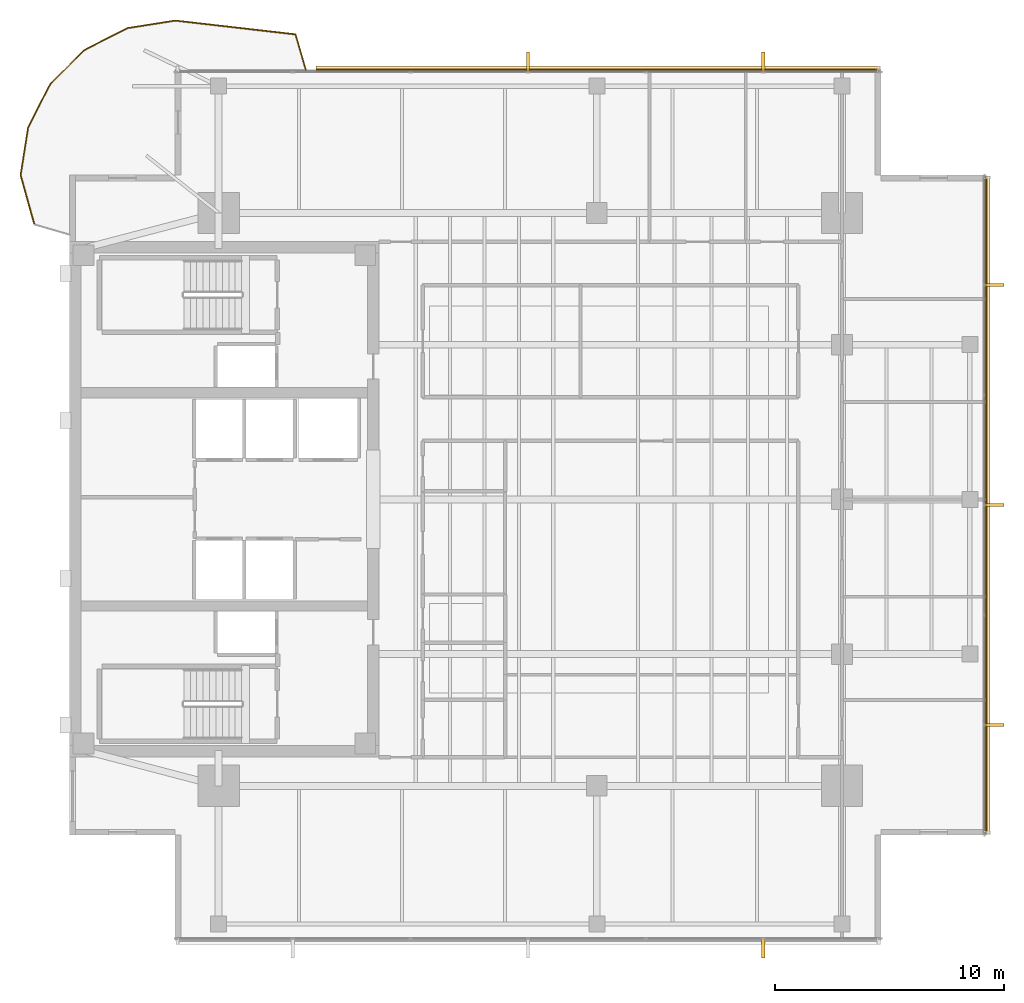
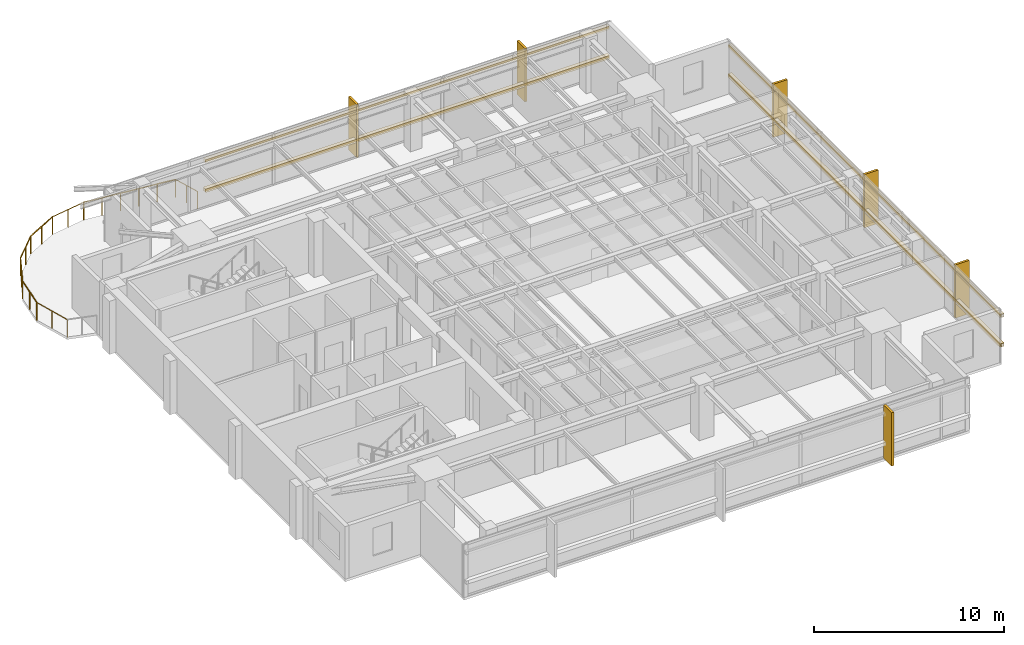
# One storey, part 14 of 14: 10 coverings, 8 railings, 4 shading devices.
"""IFC4 building model written with IfcOpenShell, lengths in metres."""

import ifcopenshell
import ifcopenshell.guid

model = None  # the IFC model being written
_history = None  # IfcOwnerHistory: only IFC2X3 demands one
_inside = {}  # id of a spatial element -> (the spatial element, [elements in it])
_under = {}  # id of a project, library or spatial element -> (it, [spatial elements below it])
_declared = {}  # id of a project -> (the project, [libraries it declares])
_typed = {}  # id of a type object -> (the type object, [elements of that type])
_made_of = {}  # id of a material, layer set ... -> (it, [elements and type objects made of it])


def new_model(schema):
    """Start an empty IFC model of exactly this schema.

    Asked for "IFC4X3", IfcOpenShell would pick the latest addendum, in which some entities
    have other attributes; the version numbers below select the first issue.
    IFC2X3 requires an IfcOwnerHistory on every rooted entity: one is made here for all.
    """
    global model, _history
    if schema == "IFC4X3":
        model = ifcopenshell.file(schema_version=(4, 3, 0, 0))
    else:
        model = ifcopenshell.file(schema=schema)
    _inside.clear()
    _under.clear()
    _declared.clear()
    _typed.clear()
    _made_of.clear()
    _history = None
    if model.schema == "IFC2X3":
        org = make("IfcOrganization", Name="unknown")
        user = make(
            "IfcPersonAndOrganization",
            ThePerson=make("IfcPerson", FamilyName="unknown"),
            TheOrganization=org,
        )
        app = make(
            "IfcApplication",
            ApplicationDeveloper=org,
            Version="unknown",
            ApplicationFullName="unknown",
            ApplicationIdentifier="unknown",
        )
        _history = make(
            "IfcOwnerHistory",
            OwningUser=user,
            OwningApplication=app,
            ChangeAction="ADDED",
            CreationDate=0,
        )
    return model


def make(cls, **values):
    """One entity of the class cls with the attributes given. An attribute that is None is left unset."""
    return model.create_entity(
        cls, **{name: value for name, value in values.items() if value is not None}
    )


def rooted(cls, **values):
    """An entity with a GlobalId (a new one), such as an element, a storey or a relation."""
    return make(cls, GlobalId=ifcopenshell.guid.new(), OwnerHistory=_history, **values)


def si_unit(unit_type, name, prefix=None):
    """IfcSIUnit, for example si_unit("LENGTHUNIT", "METRE", prefix="MILLI")."""
    return make("IfcSIUnit", UnitType=unit_type, Prefix=prefix, Name=name)


def assignment(units):
    """IfcUnitAssignment: the units of a project."""
    return None if units is None else make("IfcUnitAssignment", Units=units)


def point(xyz):
    """IfcCartesianPoint."""
    return None if xyz is None else make("IfcCartesianPoint", Coordinates=xyz)


def direction(xyz):
    """IfcDirection."""
    return None if xyz is None else make("IfcDirection", DirectionRatios=xyz)


def frame(location, z_axis=None, x_axis=None):
    """IfcAxis2Placement3D, a coordinate frame: its origin and axes. An axis left out is left unset."""
    return make(
        "IfcAxis2Placement3D",
        Location=point(location),
        Axis=direction(z_axis),
        RefDirection=direction(x_axis),
    )


def frame_2d(location, x_axis=None):
    """IfcAxis2Placement2D, a coordinate frame in the plane: its origin and x axis."""
    return make(
        "IfcAxis2Placement2D", Location=point(location), RefDirection=direction(x_axis)
    )


def origin():
    """The frame at (0, 0, 0) with its axes left unset."""
    return frame((0.0, 0.0, 0.0))


def origin_2d():
    """The frame at (0, 0) in the plane with its x axis left unset."""
    return frame_2d((0.0, 0.0))


def place(relative_to, where):
    """IfcLocalPlacement: puts the frame where relative to a parent placement (None: the world)."""
    return make(
        "IfcLocalPlacement", PlacementRelTo=relative_to, RelativePlacement=where
    )


def context(
    kind, dimensions, precision=None, world=None, true_north=None, identifier=None
):
    """IfcGeometricRepresentationContext, for example the 3D "Model" context."""
    return make(
        "IfcGeometricRepresentationContext",
        ContextIdentifier=identifier,
        ContextType=kind,
        CoordinateSpaceDimension=dimensions,
        Precision=precision,
        WorldCoordinateSystem=world,
        TrueNorth=true_north,
    )


def subcontext(parent, identifier, kind, view, scale=None):
    """IfcGeometricRepresentationSubContext, for example "Body" below "Model"."""
    return make(
        "IfcGeometricRepresentationSubContext",
        ContextIdentifier=identifier,
        ContextType=kind,
        ParentContext=parent,
        TargetScale=scale,
        TargetView=view,
    )


def project(units=None, contexts=None):
    """IfcProject with its units and contexts."""
    return rooted(
        "IfcProject",
        Name="project",
        RepresentationContexts=contexts,
        UnitsInContext=assignment(units),
    )


def spatial(cls, under=None, at=None, **own):
    """A site, building, storey or space (cls), placed at a placement, below another one or the project."""
    s = rooted(cls, ObjectPlacement=at, **own)
    if under is not None:
        _under.setdefault(under.id(), (under, []))[1].append(s)
    return s


def polyline(points):
    """IfcPolyline through the points."""
    return make("IfcPolyline", Points=[point(p) for p in points])


def profile(cls, at=None, kind="AREA", **sizes):
    """A parametric profile (cls). Its sizes go by their IFC names, for example OverallWidth=200.0."""
    return make(cls, ProfileType=kind, Position=at, **sizes)


def rectangle(**sizes):
    """IfcRectangleProfileDef."""
    return profile("IfcRectangleProfileDef", **sizes)


def circle(**sizes):
    """IfcCircleProfileDef."""
    return profile("IfcCircleProfileDef", **sizes)


def outline(outer, holes=None, kind="AREA"):
    """IfcArbitraryClosedProfileDef: a profile drawn as a closed curve; with holes, ...WithVoids."""
    if holes is None:
        return make("IfcArbitraryClosedProfileDef", ProfileType=kind, OuterCurve=outer)
    return make(
        "IfcArbitraryProfileDefWithVoids",
        ProfileType=kind,
        OuterCurve=outer,
        InnerCurves=holes,
    )


def extrude(swept, where, along, depth):
    """IfcExtrudedAreaSolid: the profile swept, set in the frame where, extruded along a direction by depth."""
    return make(
        "IfcExtrudedAreaSolid",
        SweptArea=swept,
        Position=where,
        ExtrudedDirection=direction(along),
        Depth=depth,
    )


def shape(context_of_items, identifier, shape_type, items):
    """IfcShapeRepresentation: the items that make up one representation, for example the "Body"."""
    return make(
        "IfcShapeRepresentation",
        ContextOfItems=context_of_items,
        RepresentationIdentifier=identifier,
        RepresentationType=shape_type,
        Items=items,
    )


def material(Name=None, Category=None):
    """IfcMaterial."""
    return make("IfcMaterial", Name=Name, Category=Category)


def layer(
    of_material, thickness, ventilated=None, Name=None, Category=None, Priority=None
):
    """IfcMaterialLayer: one layer of a wall or slab, of a material (None: an air gap)."""
    return make(
        "IfcMaterialLayer",
        Material=of_material,
        LayerThickness=thickness,
        IsVentilated=ventilated,
        Name=Name,
        Category=Category,
        Priority=Priority,
    )


def layer_set(layers, Name=None):
    """IfcMaterialLayerSet."""
    return make("IfcMaterialLayerSet", MaterialLayers=layers, LayerSetName=Name)


def material_profile(
    of_material, cross_section, Name=None, Category=None, Priority=None
):
    """IfcMaterialProfile: a cross section and its material."""
    return make(
        "IfcMaterialProfile",
        Name=Name,
        Material=of_material,
        Profile=cross_section,
        Priority=Priority,
        Category=Category,
    )


def profile_set(profiles, Name=None, composite=None):
    """IfcMaterialProfileSet."""
    return make(
        "IfcMaterialProfileSet",
        Name=Name,
        MaterialProfiles=profiles,
        CompositeProfile=composite,
    )


def made_of(thing, what):
    """Note that an element or type object is made of a material, layer set ...; save() writes the relation."""
    if what is not None:
        _made_of.setdefault(what.id(), (what, []))[1].append(thing)
    return thing


def type_object(cls, material=None, **own):
    """A type object (cls), such as IfcWallType, which elements share."""
    return made_of(rooted(cls, **own), material)


def element(
    cls,
    number,
    at=None,
    inside=None,
    cuts=None,
    type_object=None,
    material=None,
    context=None,
    identifier="Body",
    shape_type=None,
    held_by="IfcProductDefinitionShape",
    body=None,
    shapes=None,
    **own,
):
    """One element of the class cls, such as IfcWall. Its Tag is "e" and its number.

    at: its placement. inside: the storey or other place that contains it. cuts: it is an
    opening in that element (IfcRelVoidsElement). A single representation is given by context,
    identifier, shape_type and body (its items); several are given by shapes. held_by: the class
    of the entity that holds the representations. save() writes the other relations.
    """
    e = rooted(cls, Tag="e%d" % number, ObjectPlacement=at, **own)
    if body is not None:
        shapes = [shape(context, identifier, shape_type, body)]
    if shapes is not None:
        e.Representation = make(held_by, Representations=shapes)
    if inside is not None:
        _inside.setdefault(inside.id(), (inside, []))[1].append(e)
    if cuts is not None:
        rooted(
            "IfcRelVoidsElement", RelatingBuildingElement=cuts, RelatedOpeningElement=e
        )
    if type_object is not None:
        _typed.setdefault(type_object.id(), (type_object, []))[1].append(e)
    return made_of(e, material)


def aggregate(whole, parts):
    """IfcRelAggregates: a whole, such as a stair, and the parts it consists of."""
    return rooted("IfcRelAggregates", RelatingObject=whole, RelatedObjects=parts)


def save(model, path):
    """Write the relations noted so far, then the file.

    IfcRelAggregates (storeys below a building ...), IfcRelContainedInSpatialStructure (elements
    in a storey), IfcRelDefinesByType, IfcRelAssociatesMaterial and IfcRelDeclares: one each for
    every whole, place, type object, material and project.
    """
    for whole, parts in _under.values():
        aggregate(whole, parts)
    for where, things in _inside.values():
        rooted(
            "IfcRelContainedInSpatialStructure",
            RelatedElements=things,
            RelatingStructure=where,
        )
    for kind, things in _typed.values():
        rooted("IfcRelDefinesByType", RelatedObjects=things, RelatingType=kind)
    for what, things in _made_of.values():
        rooted("IfcRelAssociatesMaterial", RelatedObjects=things, RelatingMaterial=what)
    for by, libraries in _declared.values():
        rooted("IfcRelDeclares", RelatingContext=by, RelatedDefinitions=libraries)
    model.write(path)


model = new_model("IFC4")

# Units and contexts
model_context = context("Model", 3, precision=1e-05, world=origin(), true_north=direction((0.0, 1.0)))
body_context = subcontext(model_context, "Body", "Model", "MODEL_VIEW")
ifc_project = project(units=[si_unit("LENGTHUNIT", "METRE"), si_unit("AREAUNIT", "SQUARE_METRE"), si_unit("VOLUMEUNIT", "CUBIC_METRE"), si_unit("PLANEANGLEUNIT", "RADIAN"), si_unit("MASSUNIT", "GRAM", prefix="KILO")], contexts=[model_context])

# Site, building, storey
site_placement = place(None, origin())
site = spatial("IfcSite", under=ifc_project, at=site_placement, CompositionType="ELEMENT")
building_placement = place(site_placement, origin())
building = spatial("IfcBuilding", under=site, at=building_placement, Name="Kinhvarn Gate Tower", CompositionType="ELEMENT")
storey_placement = place(building_placement, frame((0.0, 0.0, 284.75)))
storey = spatial("IfcBuildingStorey", under=building, at=storey_placement, Name="L76", CompositionType="ELEMENT", Elevation=284.75)

# Coverings
ifc_material_1 = material(Name="Fired architectural terracotta", Category="masonry")
ifc_layer_1 = layer(ifc_material_1, 0.239990234375)
ifc_layer_set_1 = layer_set([ifc_layer_1], Name="Fired architectural terracotta")
covering_type_1 = type_object("IfcCoveringType", Name="COV-BAG-220", PredefinedType="CLADDING", material=ifc_layer_set_1)
for number, where, name in (
    (1, (0.0, 0.0, 0.93994140625), "Terracotta Horizontal Sunscreen Band TBG-220 (L76)"),
    (2, (0.0, 0.0, 2.830078125), "Terracotta Horizontal Sunscreen Band TBG-220 (L76)"),
):
    element("IfcCovering", number, at=place(storey_placement, frame(where)), inside=storey, type_object=covering_type_1, Name=name, PredefinedType="CLADDING", context=body_context, shape_type="SweptSolid", body=[
        extrude(outline(polyline([(39.860107421875, 43.929931640625), (15.2529296875, 43.929931640625), (15.2529296875, 44.169921875), (39.860107421875, 44.169921875), (39.860107421875, 43.929931640625)])), origin(), (0.0, 0.0, 1.0), 0.219970703125),
    ])
for number, where, name in (
    (3, (0.0, 0.0, 0.93994140625), "Terracotta Horizontal Sunscreen Band TBG-220 (L76)"),
    (4, (0.0, 0.0, 2.830078125), "Terracotta Horizontal Sunscreen Band TBG-220 (L76)"),
):
    element("IfcCovering", number, at=place(storey_placement, frame(where)), inside=storey, type_object=covering_type_1, Name=name, PredefinedType="CLADDING", context=body_context, shape_type="SweptSolid", body=[
        extrude(outline(polyline([(44.429931640625, 10.639892578125), (44.429931640625, 39.360107421875), (44.669921875, 39.360107421875), (44.669921875, 10.639892578125), (44.429931640625, 10.639892578125)])), origin(), (0.0, 0.0, 1.0), 0.219970703125),
    ])
ifc_layer_2 = layer(ifc_material_1, 0.139892578125)
ifc_layer_set_2 = layer_set([ifc_layer_2], Name="Fired architectural terracotta")
covering_type_2 = type_object("IfcCoveringType", Name="COV-FIN-850", PredefinedType="CLADDING", material=ifc_layer_set_2)
covering_1_placement = place(storey_placement, frame((0.0, 0.0, -0.02001953125)))
element("IfcCovering", 5, at=covering_1_placement, inside=storey, type_object=covering_type_2, Name="Vertical Terracotta Expressive Fin TFN-850 (L76)", PredefinedType="CLADDING", context=body_context, shape_type="SweptSolid", body=[
    extrude(outline(polyline([(34.69677734375, 6.080078125), (34.836669921875, 6.080078125), (34.836669921875, 5.22998046875), (34.69677734375, 5.22998046875), (34.69677734375, 6.080078125)])), origin(), (0.0, 0.0, 1.0), 3.429931640625),
])
covering_2_placement = place(storey_placement, frame((0.0, 0.0, -0.02001953125)))
element("IfcCovering", 6, at=covering_2_placement, inside=storey, type_object=covering_type_2, Name="Vertical Terracotta Expressive Fin TFN-850 (L76)", PredefinedType="CLADDING", context=body_context, shape_type="SweptSolid", body=[
    extrude(outline(polyline([(34.836669921875, 43.919921875), (34.69677734375, 43.919921875), (34.69677734375, 44.77001953125), (34.836669921875, 44.77001953125), (34.836669921875, 43.919921875)])), origin(), (0.0, 0.0, 1.0), 3.429931640625),
])
covering_3_placement = place(storey_placement, frame((0.0, 0.0, -0.02001953125)))
element("IfcCovering", 7, at=covering_3_placement, inside=storey, type_object=covering_type_2, Name="Vertical Terracotta Expressive Fin TFN-850 (L76)", PredefinedType="CLADDING", context=body_context, shape_type="SweptSolid", body=[
    extrude(outline(polyline([(24.570068359375, 43.919921875), (24.429931640625, 43.919921875), (24.429931640625, 44.77001953125), (24.570068359375, 44.77001953125), (24.570068359375, 43.919921875)])), origin(), (0.0, 0.0, 1.0), 3.429931640625),
])
covering_4_placement = place(storey_placement, frame((0.0, 0.0, -0.02001953125)))
element("IfcCovering", 8, at=covering_4_placement, inside=storey, type_object=covering_type_2, Name="Vertical Terracotta Expressive Fin TFN-850 (L76)", PredefinedType="CLADDING", context=body_context, shape_type="SweptSolid", body=[
    extrude(outline(polyline([(44.419921875, 15.330078125), (44.419921875, 15.469970703125), (45.27001953125, 15.469970703125), (45.27001953125, 15.330078125), (44.419921875, 15.330078125)])), origin(), (0.0, 0.0, 1.0), 3.429931640625),
])
covering_5_placement = place(storey_placement, frame((0.0, 0.0, -0.02001953125)))
element("IfcCovering", 9, at=covering_5_placement, inside=storey, type_object=covering_type_2, Name="Vertical Terracotta Expressive Fin TFN-850 (L76)", PredefinedType="CLADDING", context=body_context, shape_type="SweptSolid", body=[
    extrude(outline(polyline([(44.419921875, 24.929931640625), (44.419921875, 25.070068359375), (45.27001953125, 25.070068359375), (45.27001953125, 24.929931640625), (44.419921875, 24.929931640625)])), origin(), (0.0, 0.0, 1.0), 3.429931640625),
])
covering_6_placement = place(storey_placement, frame((0.0, 0.0, -0.02001953125)))
element("IfcCovering", 10, at=covering_6_placement, inside=storey, type_object=covering_type_2, Name="Vertical Terracotta Expressive Fin TFN-850 (L76)", PredefinedType="CLADDING", context=body_context, shape_type="SweptSolid", body=[
    extrude(outline(polyline([(44.419921875, 34.530029296875), (44.419921875, 34.669921875), (45.27001953125, 34.669921875), (45.27001953125, 34.530029296875), (44.419921875, 34.530029296875)])), origin(), (0.0, 0.0, 1.0), 3.429931640625),
])

# Railings
ifc_material_2 = material(Name="Clear low-e double glazing", Category="glass")
railing_type = type_object("IfcRailingType", Name="RL-BAL-1150", PredefinedType="BALUSTRADE", material=ifc_material_2)
railing_1_placement = place(storey_placement, frame((14.802978515625, 44.0, 0.0)))
element("IfcRailing", 11, at=railing_1_placement, inside=storey, type_object=railing_type, Name="S-Carve Balcony Guardrail Seg 1 (L76)", PredefinedType="BALUSTRADE", context=body_context, shape_type="SweptSolid", body=[
    extrude(circle(Radius=0.02392578125, at=origin_2d()), frame((0.0, 0.0, 1.1259765625), z_axis=(-0.27958637429, 0.960120544157, 0.0), x_axis=(-0.960120544157, -0.27958637429, 0.0)), (0.0, 0.0, 1.0), 1.609375),
    extrude(circle(Radius=0.02099609375, at=origin_2d()), origin(), (0.0, 0.0, 1.0), 1.101806640625),
    extrude(circle(Radius=0.02099609375, at=origin_2d()), frame((-0.22509765625, 0.7724609375, 0.0)), (0.0, 0.0, 1.0), 1.101806640625),
    extrude(circle(Radius=0.02099609375, at=origin_2d()), frame((-0.449951171875, 1.545166015625, 0.0)), (0.0, 0.0, 1.0), 1.101806640625),
])
railing_2_placement = place(storey_placement, frame((14.35302734375, 45.545166015625, 0.0)))
element("IfcRailing", 12, at=railing_2_placement, inside=storey, type_object=railing_type, Name="S-Carve Balcony Guardrail Seg 2 (L76)", PredefinedType="BALUSTRADE", context=body_context, shape_type="SweptSolid", body=[
    extrude(circle(Radius=0.02392578125, at=origin_2d()), frame((0.0, 0.0, 1.1259765625), z_axis=(-0.99352210109, 0.113639054229, 0.0), x_axis=(-0.113639054229, -0.99352210109, 0.0)), (0.0, 0.0, 1.0), 5.287109375),
    extrude(circle(Radius=0.02099609375, at=origin_2d()), origin(), (0.0, 0.0, 1.0), 1.101806640625),
    extrude(circle(Radius=0.02099609375, at=origin_2d()), frame((-1.050537109375, 0.1201171875, 0.0)), (0.0, 0.0, 1.0), 1.101806640625),
    extrude(circle(Radius=0.02099609375, at=origin_2d()), frame((-2.10107421875, 0.240234375, 0.0)), (0.0, 0.0, 1.0), 1.101806640625),
    extrude(circle(Radius=0.02099609375, at=origin_2d()), frame((-3.15185546875, 0.360595703125, 0.0)), (0.0, 0.0, 1.0), 1.101806640625),
    extrude(circle(Radius=0.02099609375, at=origin_2d()), frame((-4.202392578125, 0.480712890625, 0.0)), (0.0, 0.0, 1.0), 1.101806640625),
    extrude(circle(Radius=0.02099609375, at=origin_2d()), frame((-5.2529296875, 0.600830078125, 0.0)), (0.0, 0.0, 1.0), 1.101806640625),
])
railing_3_placement = place(storey_placement, frame((9.10009765625, 46.14599609375, 0.0)))
element("IfcRailing", 13, at=railing_3_placement, inside=storey, type_object=railing_type, Name="S-Carve Balcony Guardrail Seg 3 (L76)", PredefinedType="BALUSTRADE", context=body_context, shape_type="SweptSolid", body=[
    extrude(circle(Radius=0.02392578125, at=origin_2d()), frame((0.0, 0.0, 1.1259765625), z_axis=(-0.987696287561, -0.156384281623, 0.0), x_axis=(0.156384281623, -0.987696287561, 0.0)), (0.0, 0.0, 1.0), 2.110595703125),
    extrude(circle(Radius=0.02099609375, at=origin_2d()), origin(), (0.0, 0.0, 1.0), 1.101806640625),
    extrude(circle(Radius=0.02099609375, at=origin_2d()), frame((-1.04248046875, -0.1650390625, 0.0)), (0.0, 0.0, 1.0), 1.101806640625),
    extrude(circle(Radius=0.02099609375, at=origin_2d()), frame((-2.084716796875, -0.330078125, 0.0)), (0.0, 0.0, 1.0), 1.101806640625),
])
railing_4_placement = place(storey_placement, frame((7.015380859375, 45.81591796875, 0.0)))
element("IfcRailing", 14, at=railing_4_placement, inside=storey, type_object=railing_type, Name="S-Carve Balcony Guardrail Seg 4 (L76)", PredefinedType="BALUSTRADE", context=body_context, shape_type="SweptSolid", body=[
    extrude(circle(Radius=0.02392578125, at=origin_2d()), frame((0.0, 0.0, 1.1259765625), z_axis=(-0.89100065382, -0.454002020803, 0.0), x_axis=(0.454002020803, -0.89100065382, 0.0)), (0.0, 0.0, 1.0), 2.110595703125),
    extrude(circle(Radius=0.02099609375, at=origin_2d()), origin(), (0.0, 0.0, 1.0), 1.101806640625),
    extrude(circle(Radius=0.02099609375, at=origin_2d()), frame((-0.9404296875, -0.47900390625, 0.0)), (0.0, 0.0, 1.0), 1.101806640625),
    extrude(circle(Radius=0.02099609375, at=origin_2d()), frame((-1.880615234375, -0.958251953125, 0.0)), (0.0, 0.0, 1.0), 1.101806640625),
])
railing_5_placement = place(storey_placement, frame((5.134765625, 44.857666015625, 0.0)))
element("IfcRailing", 15, at=railing_5_placement, inside=storey, type_object=railing_type, Name="S-Carve Balcony Guardrail Seg 5 (L76)", PredefinedType="BALUSTRADE", context=body_context, shape_type="SweptSolid", body=[
    extrude(circle(Radius=0.02392578125, at=origin_2d()), frame((0.0, 0.0, 1.1259765625), z_axis=(-0.707106781187, -0.707106781187, 0.0), x_axis=(0.707106781187, -0.707106781187, 0.0)), (0.0, 0.0, 1.0), 2.110595703125),
    extrude(circle(Radius=0.02099609375, at=origin_2d()), origin(), (0.0, 0.0, 1.0), 1.101806640625),
    extrude(circle(Radius=0.02099609375, at=origin_2d()), frame((-0.74609375, -0.74609375, 0.0)), (0.0, 0.0, 1.0), 1.101806640625),
    extrude(circle(Radius=0.02099609375, at=origin_2d()), frame((-1.492431640625, -1.492431640625, 0.0)), (0.0, 0.0, 1.0), 1.101806640625),
])
railing_6_placement = place(storey_placement, frame((3.642333984375, 43.365234375, 0.0)))
element("IfcRailing", 16, at=railing_6_placement, inside=storey, type_object=railing_type, Name="S-Carve Balcony Guardrail Seg 6 (L76)", PredefinedType="BALUSTRADE", context=body_context, shape_type="SweptSolid", body=[
    extrude(circle(Radius=0.02392578125, at=origin_2d()), frame((0.0, 0.0, 1.1259765625), z_axis=(-0.454002020803, -0.89100065382, 0.0), x_axis=(0.89100065382, -0.454002020803, 0.0)), (0.0, 0.0, 1.0), 2.110595703125),
    extrude(circle(Radius=0.02099609375, at=origin_2d()), origin(), (0.0, 0.0, 1.0), 1.101806640625),
    extrude(circle(Radius=0.02099609375, at=origin_2d()), frame((-0.47900390625, -0.9404296875, 0.0)), (0.0, 0.0, 1.0), 1.101806640625),
    extrude(circle(Radius=0.02099609375, at=origin_2d()), frame((-0.958251953125, -1.880615234375, 0.0)), (0.0, 0.0, 1.0), 1.101806640625),
])
railing_7_placement = place(storey_placement, frame((2.68408203125, 41.484619140625, 0.0)))
element("IfcRailing", 17, at=railing_7_placement, inside=storey, type_object=railing_type, Name="S-Carve Balcony Guardrail Seg 7 (L76)", PredefinedType="BALUSTRADE", context=body_context, shape_type="SweptSolid", body=[
    extrude(circle(Radius=0.02392578125, at=origin_2d()), frame((0.0, 0.0, 1.1259765625), z_axis=(-0.156384281623, -0.987696287561, 0.0), x_axis=(0.987696287561, -0.156384281623, 0.0)), (0.0, 0.0, 1.0), 2.110595703125),
    extrude(circle(Radius=0.02099609375, at=origin_2d()), origin(), (0.0, 0.0, 1.0), 1.101806640625),
    extrude(circle(Radius=0.02099609375, at=origin_2d()), frame((-0.1650390625, -1.04248046875, 0.0)), (0.0, 0.0, 1.0), 1.101806640625),
    extrude(circle(Radius=0.02099609375, at=origin_2d()), frame((-0.330078125, -2.084716796875, 0.0)), (0.0, 0.0, 1.0), 1.101806640625),
])
railing_8_placement = place(storey_placement, frame((2.35400390625, 39.39990234375, 0.0)))
element("IfcRailing", 18, at=railing_8_placement, inside=storey, type_object=railing_type, Name="S-Carve Balcony Guardrail Seg 8 (L76)", PredefinedType="BALUSTRADE", context=body_context, shape_type="SweptSolid", body=[
    extrude(circle(Radius=0.02392578125, at=origin_2d()), frame((0.0, 0.0, 1.1259765625), z_axis=(0.268335496294, -0.963325522048, 0.0), x_axis=(0.963325522048, 0.268335496294, 0.0)), (0.0, 0.0, 1.0), 2.239013671875),
    extrude(circle(Radius=0.02099609375, at=origin_2d()), origin(), (0.0, 0.0, 1.0), 1.101806640625),
    extrude(circle(Radius=0.02099609375, at=origin_2d()), frame((0.30029296875, -1.07861328125, 0.0)), (0.0, 0.0, 1.0), 1.101806640625),
    extrude(circle(Radius=0.02099609375, at=origin_2d()), frame((0.600830078125, -2.156982421875, 0.0)), (0.0, 0.0, 1.0), 1.101806640625),
])

# Shading devices
ifc_material_profile = material_profile(ifc_material_1, rectangle(XDim=0.050048828125, YDim=0.1201171875, at=origin_2d()), Name="TC 50x120")
ifc_profile_set = profile_set([ifc_material_profile], Name="Fired architectural terracotta")
shading_device_type = type_object("IfcShadingDeviceType", Name="SHD-BAG-140", PredefinedType="USERDEFINED", material=ifc_profile_set)
for number, where, z_axis, x_axis, name in (
    (19, (39.860107421875, 44.0, 1.050048828125), (-1.0, 0.0, 0.0), (0.0, -1.0, 0.0), "Upper Tower Terracotta Baguette Screen Rod 50x120 mm (L76)"),
    (20, (39.860107421875, 44.0, 2.93994140625), (-1.0, 0.0, 0.0), (0.0, -1.0, 0.0), "Upper Tower Terracotta Baguette Screen Rod 50x120 mm (L76)"),
):
    element("IfcShadingDevice", number, at=place(storey_placement, frame(where, z_axis=z_axis, x_axis=x_axis)), inside=storey, type_object=shading_device_type, Name=name, ObjectType="BAGUETTE", PredefinedType="USERDEFINED", context=body_context, shape_type="SweptSolid", body=[
        extrude(rectangle(XDim=0.050048828125, YDim=0.1201171875, at=origin_2d()), origin(), (0.0, 0.0, 1.0), 24.607177734375),
    ])
for number, where, z_axis, x_axis, name in (
    (21, (44.5, 10.639892578125, 1.050048828125), (0.0, 1.0, 0.0), (-1.0, 0.0, 0.0), "Upper Tower Terracotta Baguette Screen Rod 50x120 mm (L76)"),
    (22, (44.5, 10.639892578125, 2.93994140625), (0.0, 1.0, 0.0), (-1.0, 0.0, 0.0), "Upper Tower Terracotta Baguette Screen Rod 50x120 mm (L76)"),
):
    element("IfcShadingDevice", number, at=place(storey_placement, frame(where, z_axis=z_axis, x_axis=x_axis)), inside=storey, type_object=shading_device_type, Name=name, ObjectType="BAGUETTE", PredefinedType="USERDEFINED", context=body_context, shape_type="SweptSolid", body=[
        extrude(rectangle(XDim=0.050048828125, YDim=0.1201171875, at=origin_2d()), origin(), (0.0, 0.0, 1.0), 28.72021484375),
    ])

save(model, "model.ifc")
